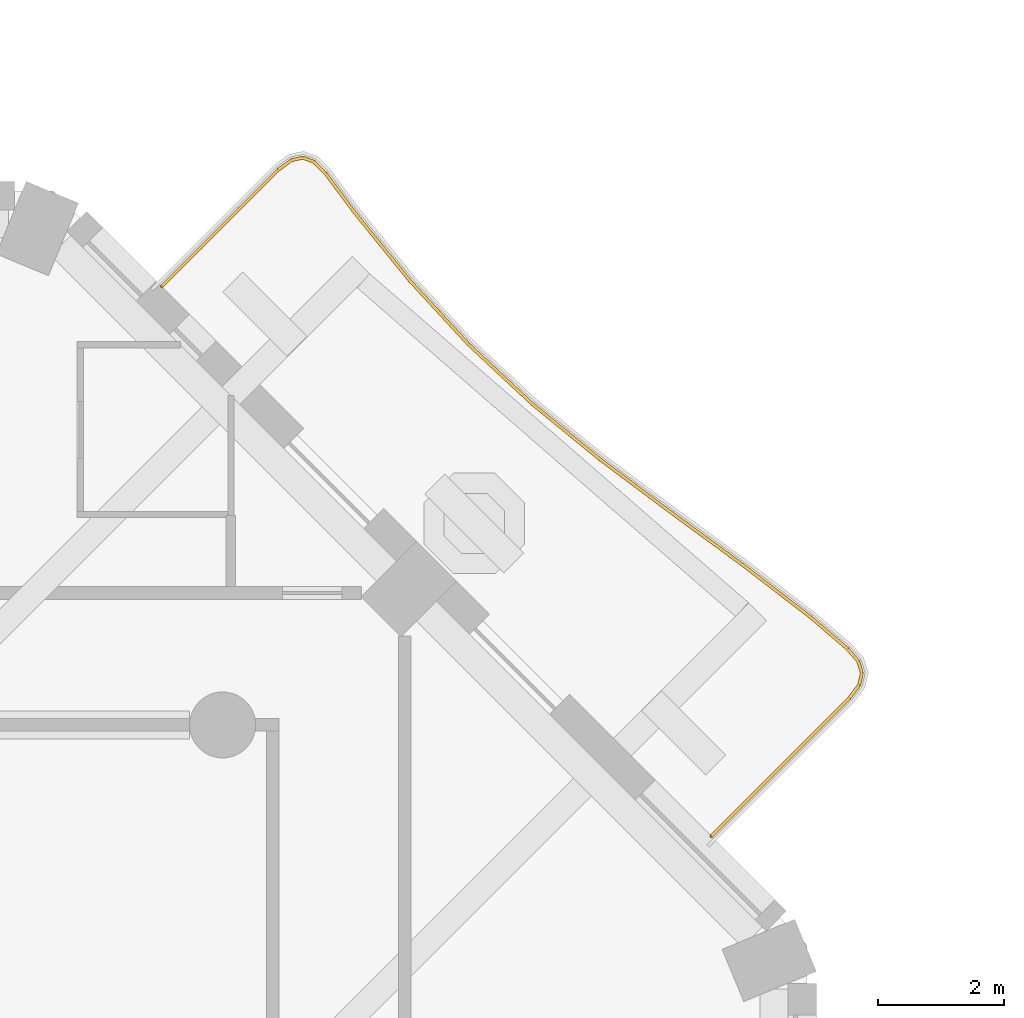
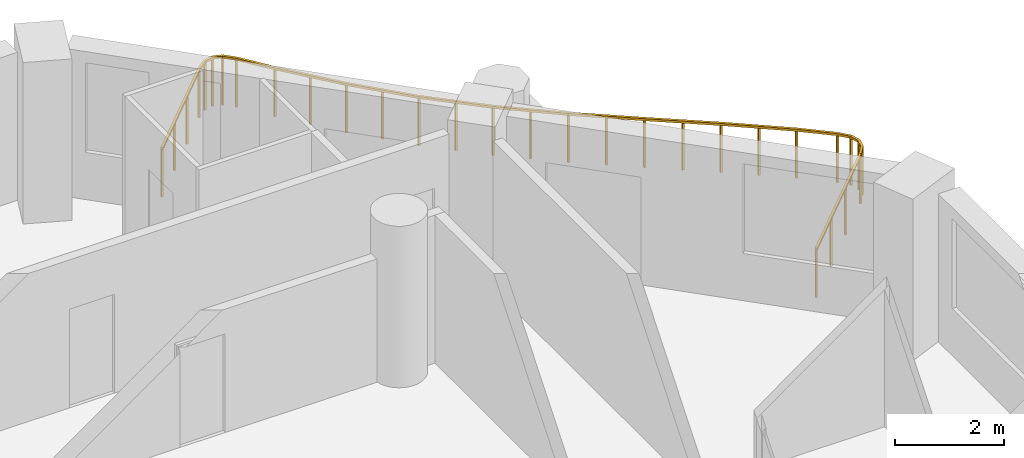
# One storey, part 18 of 19: 1 railing.
"""IFC4 building model written with IfcOpenShell, lengths in metres."""

from ifc_helpers import new_model, si_unit, direction, frame, origin, origin_2d, place, context, subcontext, project, spatial, rectangle, extrude, material, type_object, element, save


model = new_model("IFC4")

# Units and contexts
model_context = context("Model", 3, precision=1e-05, world=origin(), true_north=direction((0.0, 1.0)))
body_context = subcontext(model_context, "Body", "Model", "MODEL_VIEW")
ifc_project = project(units=[si_unit("LENGTHUNIT", "METRE"), si_unit("AREAUNIT", "SQUARE_METRE"), si_unit("VOLUMEUNIT", "CUBIC_METRE"), si_unit("PLANEANGLEUNIT", "RADIAN"), si_unit("MASSUNIT", "GRAM", prefix="KILO")], contexts=[model_context])

# Site, building, storey
site_placement = place(None, origin())
site = spatial("IfcSite", under=ifc_project, at=site_placement, CompositionType="ELEMENT")
building_placement = place(site_placement, origin())
building = spatial("IfcBuilding", under=site, at=building_placement, Name="Cypress Arch Tower", CompositionType="ELEMENT")
storey_placement = place(building_placement, frame((0.0, 0.0, 141.89990234375)))
storey = spatial("IfcBuildingStorey", under=building, at=storey_placement, Name="L31", CompositionType="ELEMENT", Elevation=141.89990234375)

# Railing
ifc_material = material(Name="Powder-coated steel posts and rods, 100 mm clear between rods", Category="steel")
railing_type = type_object("IfcRailingType", Name="Balcony guard GR1100", PredefinedType="GUARDRAIL", material=ifc_material)
railing_placement = place(storey_placement, frame((14.33251953125, 24.479736328125, 0.0)))
element("IfcRailing", 1, at=railing_placement, inside=storey, type_object=railing_type, Name="Balcony guard L31-A07", PredefinedType="GUARDRAIL", context=body_context, shape_type="SweptSolid", body=[
    extrude(rectangle(XDim=0.050048828125, YDim=0.050048828125, at=origin_2d()), frame((0.0, 0.0, 1.0751953125), z_axis=(0.707106781187, 0.707106781187, 0.0), x_axis=(-0.707106781187, 0.707106781187, 0.0)), (0.0, 0.0, 1.0), 2.622314453125),
    extrude(rectangle(XDim=0.050048828125, YDim=0.050048828125, at=origin_2d()), frame((1.854248046875, 1.854248046875, 1.0751953125), z_axis=(0.800566750152, 0.599243588661, 0.0), x_axis=(-0.599243588661, 0.800566750152, 0.0)), (0.0, 0.0, 1.0), 0.25830078125),
    extrude(rectangle(XDim=0.050048828125, YDim=0.050048828125, at=origin_2d()), frame((2.06103515625, 2.009033203125, 1.0751953125), z_axis=(0.978384916796, 0.20679205639, 0.0), x_axis=(-0.20679205639, 0.978384916796, 0.0)), (0.0, 0.0, 1.0), 0.18896484375),
    extrude(rectangle(XDim=0.050048828125, YDim=0.050048828125, at=origin_2d()), frame((2.245849609375, 2.048095703125, 1.0751953125), z_axis=(0.93770201156, -0.347440552493, 0.0), x_axis=(0.347440552493, 0.93770201156, 0.0)), (0.0, 0.0, 1.0), 0.18896484375),
    extrude(rectangle(XDim=0.050048828125, YDim=0.050048828125, at=origin_2d()), frame((2.423095703125, 1.982421875, 1.0751953125), z_axis=(0.705686416985, -0.708524298019, 0.0), x_axis=(0.708524298019, 0.705686416985, 0.0)), (0.0, 0.0, 1.0), 0.258056640625),
    extrude(rectangle(XDim=0.050048828125, YDim=0.050048828125, at=origin_2d()), frame((2.605224609375, 1.799560546875, 1.0751953125), z_axis=(0.596891774481, -0.802321761862, 0.0), x_axis=(0.802321761862, 0.596891774481, 0.0)), (0.0, 0.0, 1.0), 0.767822265625),
    extrude(rectangle(XDim=0.050048828125, YDim=0.050048828125, at=origin_2d()), frame((3.0634765625, 1.18359375, 1.0751953125), z_axis=(0.628866140053, -0.777513586952, 0.0), x_axis=(0.777513586952, 0.628866140053, 0.0)), (0.0, 0.0, 1.0), 1.39599609375),
    extrude(rectangle(XDim=0.050048828125, YDim=0.050048828125, at=origin_2d()), frame((3.94140625, 0.09814453125, 1.0751953125), z_axis=(0.677900713851, -0.735153468441, 0.0), x_axis=(0.735153468441, 0.677900713851, 0.0)), (0.0, 0.0, 1.0), 1.39013671875),
    extrude(rectangle(XDim=0.050048828125, YDim=0.050048828125, at=origin_2d()), frame((4.8837890625, -0.923828125, 1.0751953125), z_axis=(0.730593613489, -0.682812545235, 0.0), x_axis=(0.682812545235, 0.730593613489, 0.0)), (0.0, 0.0, 1.0), 1.389892578125),
    extrude(rectangle(XDim=0.050048828125, YDim=0.050048828125, at=origin_2d()), frame((5.899169921875, -1.872802734375, 1.0751953125), z_axis=(0.774323522922, -0.632789919207, 0.0), x_axis=(0.632789919207, 0.774323522922, 0.0)), (0.0, 0.0, 1.0), 1.3955078125),
    extrude(rectangle(XDim=0.050048828125, YDim=0.050048828125, at=origin_2d()), frame((6.979736328125, -2.755859375, 1.0751953125), z_axis=(0.800752035649, -0.598995974447, 0.0), x_axis=(0.598995974447, 0.800752035649, 0.0)), (0.0, 0.0, 1.0), 1.4013671875),
    extrude(rectangle(XDim=0.050048828125, YDim=0.050048828125, at=origin_2d()), frame((8.101806640625, -3.59521484375, 1.0751953125), z_axis=(0.807008058799, -0.590540424555, 0.0), x_axis=(0.590540424555, 0.807008058799, 0.0)), (0.0, 0.0, 1.0), 1.40185546875),
    extrude(rectangle(XDim=0.050048828125, YDim=0.050048828125, at=origin_2d()), frame((9.233154296875, -4.423095703125, 1.0751953125), z_axis=(0.792226980075, -0.610226525187, 0.0), x_axis=(0.610226525187, 0.792226980075, 0.0)), (0.0, 0.0, 1.0), 1.39501953125),
    extrude(rectangle(XDim=0.050048828125, YDim=0.050048828125, at=origin_2d()), frame((10.33837890625, -5.2744140625, 1.0751953125), z_axis=(0.758166121588, -0.652061448083, 0.0), x_axis=(0.652061448083, 0.758166121588, 0.0)), (0.0, 0.0, 1.0), 0.75927734375),
    extrude(rectangle(XDim=0.050048828125, YDim=0.050048828125, at=origin_2d()), frame((10.9140625, -5.76953125, 1.0751953125), z_axis=(0.656970638513, -0.753916162535, 0.0), x_axis=(0.753916162535, 0.656970638513, 0.0)), (0.0, 0.0, 1.0), 0.25927734375),
    extrude(rectangle(XDim=0.050048828125, YDim=0.050048828125, at=origin_2d()), frame((11.08447265625, -5.965087890625, 1.0751953125), z_axis=(0.296360048573, -0.955076290989, 0.0), x_axis=(0.955076290989, 0.296360048573, 0.0)), (0.0, 0.0, 1.0), 0.196044921875),
    extrude(rectangle(XDim=0.050048828125, YDim=0.050048828125, at=origin_2d()), frame((11.142578125, -6.15234375, 1.0751953125), z_axis=(-0.224041299099, -0.974579651079, 0.0), x_axis=(0.974579651079, -0.224041299099, 0.0)), (0.0, 0.0, 1.0), 0.196044921875),
    extrude(rectangle(XDim=0.050048828125, YDim=0.050048828125, at=origin_2d()), frame((11.0986328125, -6.343505859375, 1.0751953125), z_axis=(-0.598643719088, -0.801015416579, 0.0), x_axis=(0.801015416579, -0.598643719088, 0.0)), (0.0, 0.0, 1.0), 0.25927734375),
    extrude(rectangle(XDim=0.050048828125, YDim=0.050048828125, at=origin_2d()), frame((10.943359375, -6.55126953125, 1.0751953125), z_axis=(-0.707106781187, -0.707106781187, 0.0), x_axis=(0.707106781187, -0.707106781187, 0.0)), (0.0, 0.0, 1.0), 3.105712890625),
    extrude(rectangle(XDim=0.0400390625, YDim=0.0400390625, at=origin_2d()), origin(), (0.0, 0.0, 1.0), 1.050048828125),
    extrude(rectangle(XDim=0.0400390625, YDim=0.0400390625, at=origin_2d()), frame((0.6181640625, 0.6181640625, 0.0)), (0.0, 0.0, 1.0), 1.050048828125),
    extrude(rectangle(XDim=0.0400390625, YDim=0.0400390625, at=origin_2d()), frame((1.236083984375, 1.236083984375, 0.0)), (0.0, 0.0, 1.0), 1.050048828125),
    extrude(rectangle(XDim=0.0400390625, YDim=0.0400390625, at=origin_2d()), frame((1.854248046875, 1.854248046875, 0.0)), (0.0, 0.0, 1.0), 1.050048828125),
    extrude(rectangle(XDim=0.0400390625, YDim=0.0400390625, at=origin_2d()), frame((2.06103515625, 2.009033203125, 0.0)), (0.0, 0.0, 1.0), 1.050048828125),
    extrude(rectangle(XDim=0.0400390625, YDim=0.0400390625, at=origin_2d()), frame((2.245849609375, 2.048095703125, 0.0)), (0.0, 0.0, 1.0), 1.050048828125),
    extrude(rectangle(XDim=0.0400390625, YDim=0.0400390625, at=origin_2d()), frame((2.423095703125, 1.982421875, 0.0)), (0.0, 0.0, 1.0), 1.050048828125),
    extrude(rectangle(XDim=0.0400390625, YDim=0.0400390625, at=origin_2d()), frame((2.605224609375, 1.799560546875, 0.0)), (0.0, 0.0, 1.0), 1.050048828125),
    extrude(rectangle(XDim=0.0400390625, YDim=0.0400390625, at=origin_2d()), frame((3.0634765625, 1.18359375, 0.0)), (0.0, 0.0, 1.0), 1.050048828125),
    extrude(rectangle(XDim=0.0400390625, YDim=0.0400390625, at=origin_2d()), frame((3.50244140625, 0.640869140625, 0.0)), (0.0, 0.0, 1.0), 1.050048828125),
    extrude(rectangle(XDim=0.0400390625, YDim=0.0400390625, at=origin_2d()), frame((3.94140625, 0.09814453125, 0.0)), (0.0, 0.0, 1.0), 1.050048828125),
    extrude(rectangle(XDim=0.0400390625, YDim=0.0400390625, at=origin_2d()), frame((4.41259765625, -0.412841796875, 0.0)), (0.0, 0.0, 1.0), 1.050048828125),
    extrude(rectangle(XDim=0.0400390625, YDim=0.0400390625, at=origin_2d()), frame((4.8837890625, -0.923828125, 0.0)), (0.0, 0.0, 1.0), 1.050048828125),
    extrude(rectangle(XDim=0.0400390625, YDim=0.0400390625, at=origin_2d()), frame((5.3916015625, -1.3984375, 0.0)), (0.0, 0.0, 1.0), 1.050048828125),
    extrude(rectangle(XDim=0.0400390625, YDim=0.0400390625, at=origin_2d()), frame((5.899169921875, -1.872802734375, 0.0)), (0.0, 0.0, 1.0), 1.050048828125),
    extrude(rectangle(XDim=0.0400390625, YDim=0.0400390625, at=origin_2d()), frame((6.439453125, -2.314453125, 0.0)), (0.0, 0.0, 1.0), 1.050048828125),
    extrude(rectangle(XDim=0.0400390625, YDim=0.0400390625, at=origin_2d()), frame((6.979736328125, -2.755859375, 0.0)), (0.0, 0.0, 1.0), 1.050048828125),
    extrude(rectangle(XDim=0.0400390625, YDim=0.0400390625, at=origin_2d()), frame((7.540771484375, -3.175537109375, 0.0)), (0.0, 0.0, 1.0), 1.050048828125),
    extrude(rectangle(XDim=0.0400390625, YDim=0.0400390625, at=origin_2d()), frame((8.101806640625, -3.59521484375, 0.0)), (0.0, 0.0, 1.0), 1.050048828125),
    extrude(rectangle(XDim=0.0400390625, YDim=0.0400390625, at=origin_2d()), frame((8.66748046875, -4.00927734375, 0.0)), (0.0, 0.0, 1.0), 1.050048828125),
    extrude(rectangle(XDim=0.0400390625, YDim=0.0400390625, at=origin_2d()), frame((9.233154296875, -4.423095703125, 0.0)), (0.0, 0.0, 1.0), 1.050048828125),
    extrude(rectangle(XDim=0.0400390625, YDim=0.0400390625, at=origin_2d()), frame((9.78564453125, -4.8486328125, 0.0)), (0.0, 0.0, 1.0), 1.050048828125),
    extrude(rectangle(XDim=0.0400390625, YDim=0.0400390625, at=origin_2d()), frame((10.33837890625, -5.2744140625, 0.0)), (0.0, 0.0, 1.0), 1.050048828125),
    extrude(rectangle(XDim=0.0400390625, YDim=0.0400390625, at=origin_2d()), frame((10.9140625, -5.76953125, 0.0)), (0.0, 0.0, 1.0), 1.050048828125),
    extrude(rectangle(XDim=0.0400390625, YDim=0.0400390625, at=origin_2d()), frame((11.08447265625, -5.965087890625, 0.0)), (0.0, 0.0, 1.0), 1.050048828125),
    extrude(rectangle(XDim=0.0400390625, YDim=0.0400390625, at=origin_2d()), frame((11.142578125, -6.15234375, 0.0)), (0.0, 0.0, 1.0), 1.050048828125),
    extrude(rectangle(XDim=0.0400390625, YDim=0.0400390625, at=origin_2d()), frame((11.0986328125, -6.343505859375, 0.0)), (0.0, 0.0, 1.0), 1.050048828125),
    extrude(rectangle(XDim=0.0400390625, YDim=0.0400390625, at=origin_2d()), frame((10.943359375, -6.55126953125, 0.0)), (0.0, 0.0, 1.0), 1.050048828125),
    extrude(rectangle(XDim=0.0400390625, YDim=0.0400390625, at=origin_2d()), frame((10.21142578125, -7.283203125, 0.0)), (0.0, 0.0, 1.0), 1.050048828125),
    extrude(rectangle(XDim=0.0400390625, YDim=0.0400390625, at=origin_2d()), frame((9.479248046875, -8.015380859375, 0.0)), (0.0, 0.0, 1.0), 1.050048828125),
    extrude(rectangle(XDim=0.0400390625, YDim=0.0400390625, at=origin_2d()), frame((8.747314453125, -8.747314453125, 0.0)), (0.0, 0.0, 1.0), 1.050048828125),
])

save(model, "model.ifc")
